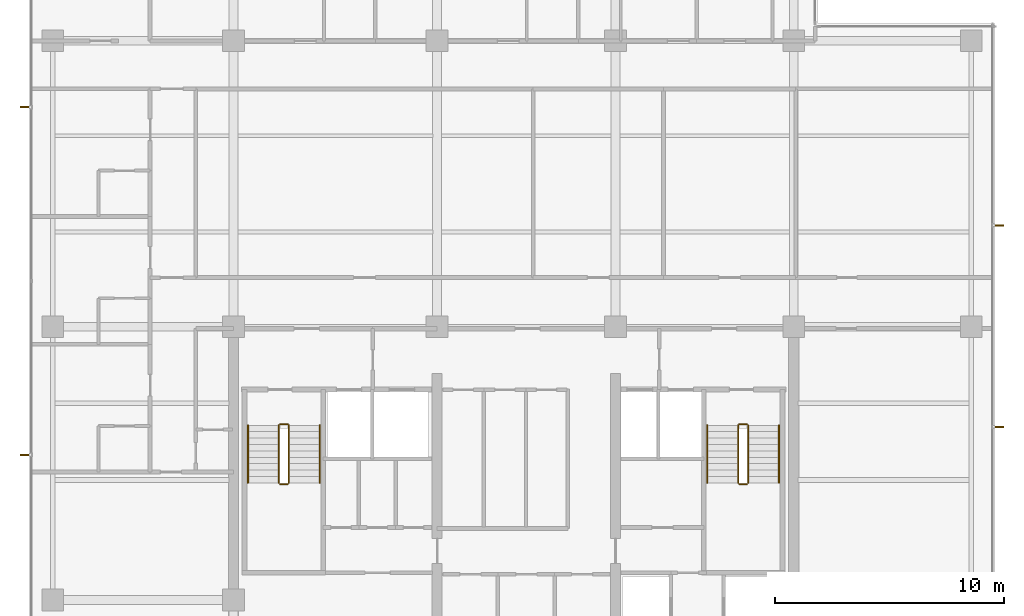
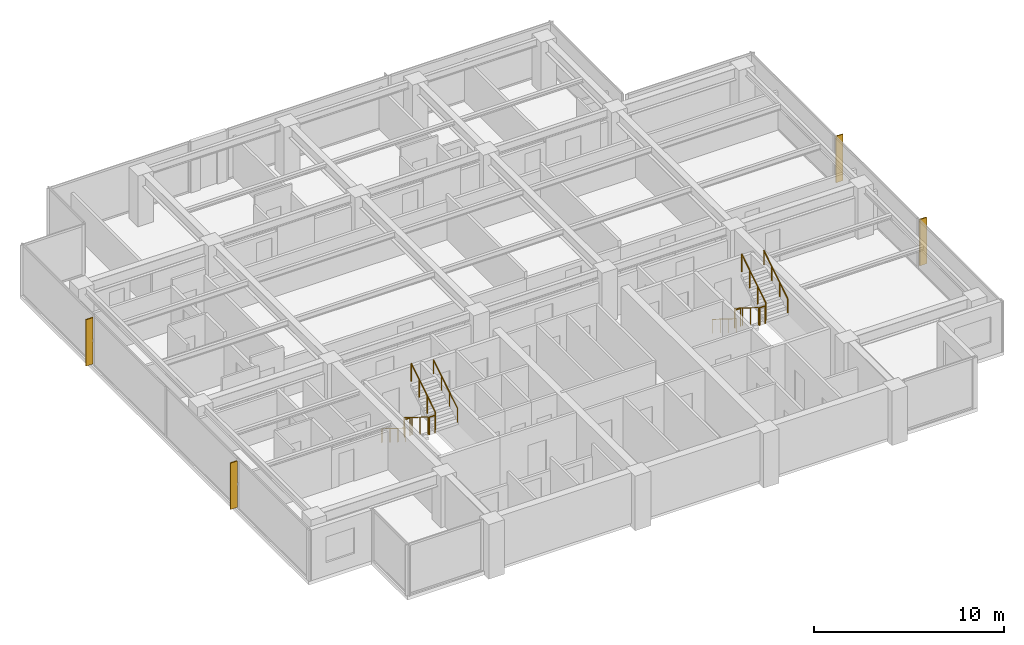
# One storey, part 13 of 14: 12 railings, 4 shading devices.
"""IFC4 building model written with IfcOpenShell, lengths in metres."""

from ifc_helpers import new_model, si_unit, direction, frame, origin, origin_2d, place, context, subcontext, project, spatial, polyline, circle, outline, extrude, material, layer, layer_set, type_object, element, save


model = new_model("IFC4")

# Units and contexts
model_context = context("Model", 3, precision=1e-05, world=origin(), true_north=direction((0.0, 1.0)))
body_context = subcontext(model_context, "Body", "Model", "MODEL_VIEW")
ifc_project = project(units=[si_unit("LENGTHUNIT", "METRE"), si_unit("AREAUNIT", "SQUARE_METRE"), si_unit("VOLUMEUNIT", "CUBIC_METRE"), si_unit("PLANEANGLEUNIT", "RADIAN"), si_unit("MASSUNIT", "GRAM", prefix="KILO")], contexts=[model_context])

# Site, building, storey
site_placement = place(None, origin())
site = spatial("IfcSite", under=ifc_project, at=site_placement, CompositionType="ELEMENT")
building_placement = place(site_placement, origin())
building = spatial("IfcBuilding", under=site, at=building_placement, Name="Qalmaran Belvedere Hotel", CompositionType="ELEMENT")
storey_placement = place(building_placement, frame((0.0, 0.0, 200.39990234375)))
storey = spatial("IfcBuildingStorey", under=building, at=storey_placement, Name="L50", CompositionType="ELEMENT", Elevation=200.39990234375)

# Shading devices
ifc_material_1 = material(Name="Anodised Bronze Aluminium", Category="aluminium")
ifc_layer = layer(ifc_material_1, 0.06494140625, Name="Anodised Bronze Aluminium")
ifc_layer_set = layer_set([ifc_layer], Name="Anodised Bronze Aluminium")
shading_device_type = type_object("IfcShadingDeviceType", Name="FIN-BRNZ-420", PredefinedType="USERDEFINED", material=ifc_layer_set)
shading_device_1_placement = place(storey_placement, frame((0.0, 0.0, 0.16015625)))
element("IfcShadingDevice", 1, at=shading_device_1_placement, inside=storey, type_object=shading_device_type, Name="L50 Bronze Fin 1", ObjectType="FIN", PredefinedType="USERDEFINED", context=body_context, shape_type="SweptSolid", body=[
    extrude(outline(polyline([(53.5673828125, 16.084228515625), (53.987548828125, 16.084228515625), (53.987548828125, 16.149169921875), (53.5673828125, 16.149169921875), (53.5673828125, 16.084228515625)])), origin(), (0.0, 0.0, 1.0), 2.97998046875),
])
shading_device_2_placement = place(storey_placement, frame((0.0, 0.0, 0.16015625)))
element("IfcShadingDevice", 2, at=shading_device_2_placement, inside=storey, type_object=shading_device_type, Name="L50 Bronze Fin 2", ObjectType="FIN", PredefinedType="USERDEFINED", context=body_context, shape_type="SweptSolid", body=[
    extrude(outline(polyline([(53.5673828125, 24.90087890625), (53.987548828125, 24.90087890625), (53.987548828125, 24.9658203125), (53.5673828125, 24.9658203125), (53.5673828125, 24.90087890625)])), origin(), (0.0, 0.0, 1.0), 2.97998046875),
])
shading_device_3_placement = place(storey_placement, frame((0.0, 0.0, 0.16015625)))
element("IfcShadingDevice", 3, at=shading_device_3_placement, inside=storey, type_object=shading_device_type, Name="L50 Bronze Fin 1", ObjectType="FIN", PredefinedType="USERDEFINED", context=body_context, shape_type="SweptSolid", body=[
    extrude(outline(polyline([(11.382568359375, 30.132568359375), (10.96240234375, 30.132568359375), (10.96240234375, 30.0673828125), (11.382568359375, 30.0673828125), (11.382568359375, 30.132568359375)])), origin(), (0.0, 0.0, 1.0), 2.97998046875),
])
shading_device_4_placement = place(storey_placement, frame((0.0, 0.0, 0.16015625)))
element("IfcShadingDevice", 4, at=shading_device_4_placement, inside=storey, type_object=shading_device_type, Name="L50 Bronze Fin 3", ObjectType="FIN", PredefinedType="USERDEFINED", context=body_context, shape_type="SweptSolid", body=[
    extrude(outline(polyline([(11.382568359375, 14.9326171875), (10.96240234375, 14.9326171875), (10.96240234375, 14.867431640625), (11.382568359375, 14.867431640625), (11.382568359375, 14.9326171875)])), origin(), (0.0, 0.0, 1.0), 2.97998046875),
])

# Railings
ifc_material_2 = material(Name="Stainless Steel 1.4401", Category="steel")
railing_type_1 = type_object("IfcRailingType", Name="RLG-STAIR-GUARD-1150", PredefinedType="GUARDRAIL", material=ifc_material_2)
railing_1_placement = place(storey_placement, frame((22.280029296875, 16.18994140625, 0.175048828125)))
element("IfcRailing", 5, at=railing_1_placement, inside=storey, type_object=railing_type_1, Name="L50 ST-1 stair guard 1", PredefinedType="GUARDRAIL", context=body_context, shape_type="SweptSolid", body=[
    extrude(circle(Radius=0.02392578125, at=origin_2d()), frame((0.0, 0.0, 1.1259765625), z_axis=(0.0, -0.848007534815, 0.529984170421), x_axis=(1.0, 0.0, 0.0)), (0.0, 0.0, 1.0), 2.9716796875),
    extrude(circle(Radius=0.02099609375, at=origin_2d()), origin(), (0.0, 0.0, 1.0), 1.101806640625),
    extrude(circle(Radius=0.02099609375, at=origin_2d()), frame((0.0, -0.840087890625, 0.52490234375)), (0.0, 0.0, 1.0), 1.101806640625),
    extrude(circle(Radius=0.02099609375, at=origin_2d()), frame((0.0, -1.679931640625, 1.050048828125)), (0.0, 0.0, 1.0), 1.101806640625),
    extrude(circle(Radius=0.02099609375, at=origin_2d()), frame((0.0, -2.52001953125, 1.574951171875)), (0.0, 0.0, 1.0), 1.101806640625),
])
railing_2_placement = place(storey_placement, frame((22.330078125, 13.6201171875, 1.75)))
element("IfcRailing", 6, at=railing_2_placement, inside=storey, type_object=railing_type_1, Name="L50 ST-1 stair guard 2", PredefinedType="GUARDRAIL", context=body_context, shape_type="SweptSolid", body=[
    extrude(circle(Radius=0.02392578125, at=origin_2d()), frame((0.0, 0.0, 1.1259765625), z_axis=(1.0, 0.0, 0.0), x_axis=(0.0, 1.0, 0.0)), (0.0, 0.0, 1.0), 0.33984375),
    extrude(circle(Radius=0.02099609375, at=origin_2d()), origin(), (0.0, 0.0, 1.0), 1.101806640625),
    extrude(circle(Radius=0.02099609375, at=origin_2d()), frame((0.33984375, 0.0, 0.0)), (0.0, 0.0, 1.0), 1.101806640625),
])
railing_3_placement = place(storey_placement, frame((22.719970703125, 13.669921875, 1.925048828125)))
element("IfcRailing", 7, at=railing_3_placement, inside=storey, type_object=railing_type_1, Name="L50 ST-1 stair guard 3", PredefinedType="GUARDRAIL", context=body_context, shape_type="SweptSolid", body=[
    extrude(circle(Radius=0.02392578125, at=origin_2d()), frame((0.0, 0.0, 1.1259765625), z_axis=(0.0, 0.848007534815, 0.529984170421), x_axis=(-1.0, 0.0, 0.0)), (0.0, 0.0, 1.0), 2.9716796875),
    extrude(circle(Radius=0.02099609375, at=origin_2d()), origin(), (0.0, 0.0, 1.0), 1.101806640625),
    extrude(circle(Radius=0.02099609375, at=origin_2d()), frame((0.0, 0.840087890625, 0.52490234375)), (0.0, 0.0, 1.0), 1.101806640625),
    extrude(circle(Radius=0.02099609375, at=origin_2d()), frame((0.0, 1.679931640625, 1.050048828125)), (0.0, 0.0, 1.0), 1.101806640625),
    extrude(circle(Radius=0.02099609375, at=origin_2d()), frame((0.0, 2.52001953125, 1.574951171875)), (0.0, 0.0, 1.0), 1.101806640625),
])
railing_4_placement = place(storey_placement, frame((22.330078125, 16.239990234375, 0.0)))
element("IfcRailing", 8, at=railing_4_placement, inside=storey, type_object=railing_type_1, Name="L50 ST-1 stair guard 4", PredefinedType="GUARDRAIL", context=body_context, shape_type="SweptSolid", body=[
    extrude(circle(Radius=0.02392578125, at=origin_2d()), frame((0.0, 0.0, 1.1259765625), z_axis=(1.0, 0.0, 0.0), x_axis=(0.0, 1.0, 0.0)), (0.0, 0.0, 1.0), 0.33984375),
    extrude(circle(Radius=0.02099609375, at=origin_2d()), origin(), (0.0, 0.0, 1.0), 1.101806640625),
    extrude(circle(Radius=0.02099609375, at=origin_2d()), frame((0.33984375, 0.0, 0.0)), (0.0, 0.0, 1.0), 1.101806640625),
])
railing_5_placement = place(storey_placement, frame((42.360107421875, 16.18994140625, 0.175048828125)))
element("IfcRailing", 9, at=railing_5_placement, inside=storey, type_object=railing_type_1, Name="L50 ST-2 stair guard 1", PredefinedType="GUARDRAIL", context=body_context, shape_type="SweptSolid", body=[
    extrude(circle(Radius=0.02392578125, at=origin_2d()), frame((0.0, 0.0, 1.1259765625), z_axis=(0.0, -0.848007534815, 0.529984170421), x_axis=(1.0, 0.0, 0.0)), (0.0, 0.0, 1.0), 2.9716796875),
    extrude(circle(Radius=0.02099609375, at=origin_2d()), origin(), (0.0, 0.0, 1.0), 1.101806640625),
    extrude(circle(Radius=0.02099609375, at=origin_2d()), frame((0.0, -0.840087890625, 0.52490234375)), (0.0, 0.0, 1.0), 1.101806640625),
    extrude(circle(Radius=0.02099609375, at=origin_2d()), frame((0.0, -1.679931640625, 1.050048828125)), (0.0, 0.0, 1.0), 1.101806640625),
    extrude(circle(Radius=0.02099609375, at=origin_2d()), frame((0.0, -2.52001953125, 1.574951171875)), (0.0, 0.0, 1.0), 1.101806640625),
])
railing_6_placement = place(storey_placement, frame((42.409912109375, 13.6201171875, 1.75)))
element("IfcRailing", 10, at=railing_6_placement, inside=storey, type_object=railing_type_1, Name="L50 ST-2 stair guard 2", PredefinedType="GUARDRAIL", context=body_context, shape_type="SweptSolid", body=[
    extrude(circle(Radius=0.02392578125, at=origin_2d()), frame((0.0, 0.0, 1.1259765625), z_axis=(1.0, 0.0, 0.0), x_axis=(0.0, 1.0, 0.0)), (0.0, 0.0, 1.0), 0.340087890625),
    extrude(circle(Radius=0.02099609375, at=origin_2d()), origin(), (0.0, 0.0, 1.0), 1.101806640625),
    extrude(circle(Radius=0.02099609375, at=origin_2d()), frame((0.340087890625, 0.0, 0.0)), (0.0, 0.0, 1.0), 1.101806640625),
])
railing_7_placement = place(storey_placement, frame((42.800048828125, 13.669921875, 1.925048828125)))
element("IfcRailing", 11, at=railing_7_placement, inside=storey, type_object=railing_type_1, Name="L50 ST-2 stair guard 3", PredefinedType="GUARDRAIL", context=body_context, shape_type="SweptSolid", body=[
    extrude(circle(Radius=0.02392578125, at=origin_2d()), frame((0.0, 0.0, 1.1259765625), z_axis=(0.0, 0.848007534815, 0.529984170421), x_axis=(-1.0, 0.0, 0.0)), (0.0, 0.0, 1.0), 2.9716796875),
    extrude(circle(Radius=0.02099609375, at=origin_2d()), origin(), (0.0, 0.0, 1.0), 1.101806640625),
    extrude(circle(Radius=0.02099609375, at=origin_2d()), frame((0.0, 0.840087890625, 0.52490234375)), (0.0, 0.0, 1.0), 1.101806640625),
    extrude(circle(Radius=0.02099609375, at=origin_2d()), frame((0.0, 1.679931640625, 1.050048828125)), (0.0, 0.0, 1.0), 1.101806640625),
    extrude(circle(Radius=0.02099609375, at=origin_2d()), frame((0.0, 2.52001953125, 1.574951171875)), (0.0, 0.0, 1.0), 1.101806640625),
])
railing_8_placement = place(storey_placement, frame((42.409912109375, 16.239990234375, 0.0)))
element("IfcRailing", 12, at=railing_8_placement, inside=storey, type_object=railing_type_1, Name="L50 ST-2 stair guard 4", PredefinedType="GUARDRAIL", context=body_context, shape_type="SweptSolid", body=[
    extrude(circle(Radius=0.02392578125, at=origin_2d()), frame((0.0, 0.0, 1.1259765625), z_axis=(1.0, 0.0, 0.0), x_axis=(0.0, 1.0, 0.0)), (0.0, 0.0, 1.0), 0.340087890625),
    extrude(circle(Radius=0.02099609375, at=origin_2d()), origin(), (0.0, 0.0, 1.0), 1.101806640625),
    extrude(circle(Radius=0.02099609375, at=origin_2d()), frame((0.340087890625, 0.0, 0.0)), (0.0, 0.0, 1.0), 1.101806640625),
])
railing_type_2 = type_object("IfcRailingType", Name="RLG-STAIR-HAND-910", PredefinedType="HANDRAIL", material=ifc_material_2)
railing_9_placement = place(storey_placement, frame((20.929931640625, 16.18994140625, 0.175048828125)))
element("IfcRailing", 13, at=railing_9_placement, inside=storey, type_object=railing_type_2, Name="L50 ST-1 stair handrail 1", PredefinedType="HANDRAIL", context=body_context, shape_type="SweptSolid", body=[
    extrude(circle(Radius=0.02392578125, at=origin_2d()), frame((0.0, 0.0, 0.8857421875), z_axis=(0.0, -0.848007534815, 0.529984170421), x_axis=(1.0, 0.0, 0.0)), (0.0, 0.0, 1.0), 2.9716796875),
    extrude(circle(Radius=0.02099609375, at=origin_2d()), origin(), (0.0, 0.0, 1.0), 0.86181640625),
    extrude(circle(Radius=0.02099609375, at=origin_2d()), frame((0.0, -0.840087890625, 0.52490234375)), (0.0, 0.0, 1.0), 0.86181640625),
    extrude(circle(Radius=0.02099609375, at=origin_2d()), frame((0.0, -1.679931640625, 1.050048828125)), (0.0, 0.0, 1.0), 0.86181640625),
    extrude(circle(Radius=0.02099609375, at=origin_2d()), frame((0.0, -2.52001953125, 1.574951171875)), (0.0, 0.0, 1.0), 0.86181640625),
])
railing_10_placement = place(storey_placement, frame((24.070068359375, 13.669921875, 1.925048828125)))
element("IfcRailing", 14, at=railing_10_placement, inside=storey, type_object=railing_type_2, Name="L50 ST-1 stair handrail 2", PredefinedType="HANDRAIL", context=body_context, shape_type="SweptSolid", body=[
    extrude(circle(Radius=0.02392578125, at=origin_2d()), frame((0.0, 0.0, 0.8857421875), z_axis=(0.0, 0.848007534815, 0.529984170421), x_axis=(-1.0, 0.0, 0.0)), (0.0, 0.0, 1.0), 2.9716796875),
    extrude(circle(Radius=0.02099609375, at=origin_2d()), origin(), (0.0, 0.0, 1.0), 0.86181640625),
    extrude(circle(Radius=0.02099609375, at=origin_2d()), frame((0.0, 0.840087890625, 0.52490234375)), (0.0, 0.0, 1.0), 0.86181640625),
    extrude(circle(Radius=0.02099609375, at=origin_2d()), frame((0.0, 1.679931640625, 1.050048828125)), (0.0, 0.0, 1.0), 0.86181640625),
    extrude(circle(Radius=0.02099609375, at=origin_2d()), frame((0.0, 2.52001953125, 1.574951171875)), (0.0, 0.0, 1.0), 0.86181640625),
])
railing_11_placement = place(storey_placement, frame((41.010009765625, 16.18994140625, 0.175048828125)))
element("IfcRailing", 15, at=railing_11_placement, inside=storey, type_object=railing_type_2, Name="L50 ST-2 stair handrail 1", PredefinedType="HANDRAIL", context=body_context, shape_type="SweptSolid", body=[
    extrude(circle(Radius=0.02392578125, at=origin_2d()), frame((0.0, 0.0, 0.8857421875), z_axis=(0.0, -0.848007534815, 0.529984170421), x_axis=(1.0, 0.0, 0.0)), (0.0, 0.0, 1.0), 2.9716796875),
    extrude(circle(Radius=0.02099609375, at=origin_2d()), origin(), (0.0, 0.0, 1.0), 0.86181640625),
    extrude(circle(Radius=0.02099609375, at=origin_2d()), frame((0.0, -0.840087890625, 0.52490234375)), (0.0, 0.0, 1.0), 0.86181640625),
    extrude(circle(Radius=0.02099609375, at=origin_2d()), frame((0.0, -1.679931640625, 1.050048828125)), (0.0, 0.0, 1.0), 0.86181640625),
    extrude(circle(Radius=0.02099609375, at=origin_2d()), frame((0.0, -2.52001953125, 1.574951171875)), (0.0, 0.0, 1.0), 0.86181640625),
])
railing_12_placement = place(storey_placement, frame((44.14990234375, 13.669921875, 1.925048828125)))
element("IfcRailing", 16, at=railing_12_placement, inside=storey, type_object=railing_type_2, Name="L50 ST-2 stair handrail 2", PredefinedType="HANDRAIL", context=body_context, shape_type="SweptSolid", body=[
    extrude(circle(Radius=0.02392578125, at=origin_2d()), frame((0.0, 0.0, 0.8857421875), z_axis=(0.0, 0.848007534815, 0.529984170421), x_axis=(-1.0, 0.0, 0.0)), (0.0, 0.0, 1.0), 2.9716796875),
    extrude(circle(Radius=0.02099609375, at=origin_2d()), origin(), (0.0, 0.0, 1.0), 0.86181640625),
    extrude(circle(Radius=0.02099609375, at=origin_2d()), frame((0.0, 0.840087890625, 0.52490234375)), (0.0, 0.0, 1.0), 0.86181640625),
    extrude(circle(Radius=0.02099609375, at=origin_2d()), frame((0.0, 1.679931640625, 1.050048828125)), (0.0, 0.0, 1.0), 0.86181640625),
    extrude(circle(Radius=0.02099609375, at=origin_2d()), frame((0.0, 2.52001953125, 1.574951171875)), (0.0, 0.0, 1.0), 0.86181640625),
])

save(model, "model.ifc")
